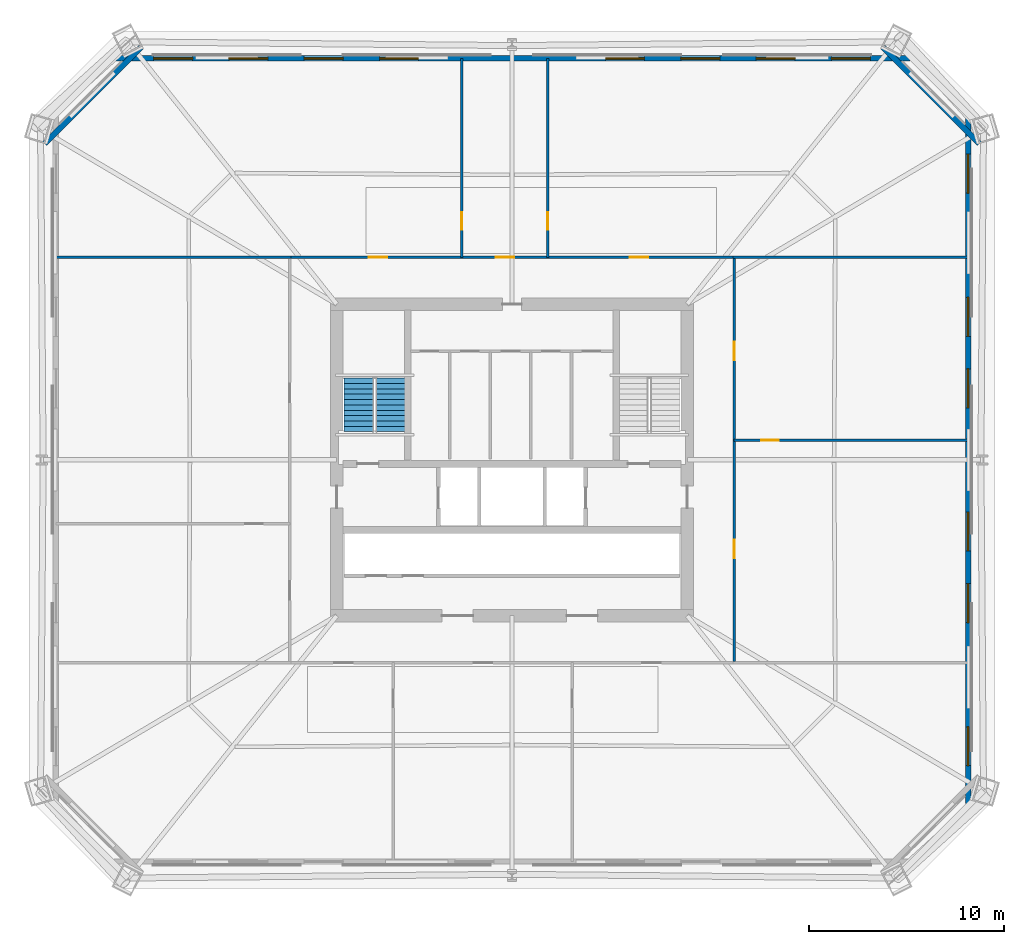
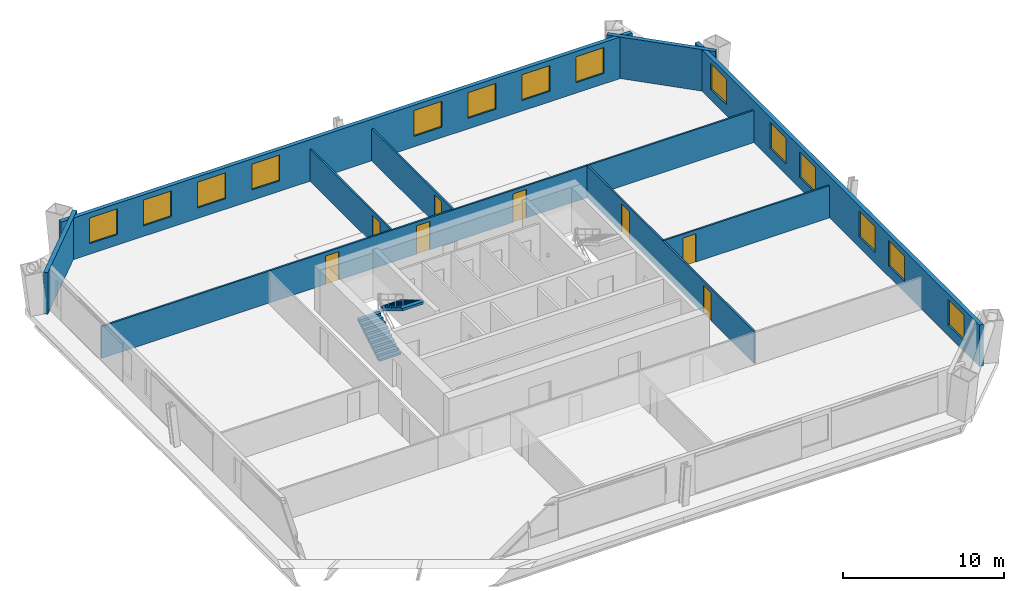
# One storey, part 4 of 7: 14 windows, 11 walls, 8 doors, 2 stair flights, 22 openings, 1 element without a shape of its own.
"""IFC4 building model written with IfcOpenShell, lengths in metres."""

from ifc_helpers import new_model, si_unit, direction, frame, frame_2d, origin, place, context, subcontext, project, spatial, polyline, rectangle, outline, extrude, material, layer, layer_set, type_object, element, fill, aggregate, save


model = new_model("IFC4")

# Units and contexts
model_context = context("Model", 3, precision=1e-05, world=origin(), true_north=direction((0.0, 1.0)))
body_context = subcontext(model_context, "Body", "Model", "MODEL_VIEW")
ifc_project = project(units=[si_unit("LENGTHUNIT", "METRE"), si_unit("AREAUNIT", "SQUARE_METRE"), si_unit("VOLUMEUNIT", "CUBIC_METRE"), si_unit("PLANEANGLEUNIT", "RADIAN"), si_unit("MASSUNIT", "GRAM", prefix="KILO")], contexts=[model_context])

# Site, building, storey
site_placement = place(None, origin())
site = spatial("IfcSite", under=ifc_project, at=site_placement, CompositionType="ELEMENT")
building_placement = place(site_placement, origin())
building = spatial("IfcBuilding", under=site, at=building_placement, Name="Caelvoria Tower", CompositionType="ELEMENT")
storey_placement = place(building_placement, frame((0.0, 0.0, 35.199951171875)))
storey = spatial("IfcBuildingStorey", under=building, at=storey_placement, Name="L08", CompositionType="ELEMENT", Elevation=35.199951171875)

# Wall, openings, windows
ifc_material_1 = material(Name="Precast Concrete C40/50 with Bronze Cladding", Category="concrete")
ifc_layer_1 = layer(ifc_material_1, 0.280029296875, Name="Precast Concrete C40/50 with Bronze Cladding")
ifc_layer_set_1 = layer_set([ifc_layer_1], Name="Exterior Precast Concrete C40/50 Bronze-Clad Facade Wall 280 - Precast Concrete C40/50 with Bronze Cladding")
wall_type_1 = type_object("IfcWallType", Name="Exterior Precast Concrete C40/50 Bronze-Clad Facade Wall 280", PredefinedType="STANDARD", material=ifc_layer_set_1)
wall_1_placement = place(storey_placement, frame((69.419921875, 14.360107421875, 0.0), z_axis=(0.0, 0.0, 1.0), x_axis=(0.0, 1.0, 0.0)))
wall_1 = element("IfcWall", 1, at=wall_1_placement, inside=storey, type_object=wall_type_1, Name="Exterior Facade Wall L08-E2", PredefinedType="STANDARD", context=body_context, shape_type="SweptSolid", body=[
    extrude(rectangle(XDim=35.27978515625, YDim=0.280029296875, at=frame_2d((17.639892578125, 0.0))), origin(), (0.0, 0.0, 1.0), 3.150146484375),
])
opening_1_placement = place(wall_1_placement, frame((1.937744140625, 0.0, 0.800048828125)))
opening_1 = element("IfcOpeningElement", 2, at=opening_1_placement, cuts=wall_1, Name="Opening WN-01", PredefinedType="OPENING", context=body_context, shape_type="SweptSolid", body=[
    extrude(rectangle(XDim=2.0, YDim=1.949951171875, at=frame_2d((1.0, 0.97509765625))), frame((0.0, 0.14990234375, 0.0), z_axis=(0.0, -1.0, 0.0), x_axis=(1.0, 0.0, 0.0)), (0.0, 0.0, 1.0), 0.300048828125),
])
opening_2_placement = place(wall_1_placement, frame((9.288818359375, 0.0, 0.800048828125)))
opening_2 = element("IfcOpeningElement", 3, at=opening_2_placement, cuts=wall_1, Name="Opening WN-01", PredefinedType="OPENING", context=body_context, shape_type="SweptSolid", body=[
    extrude(rectangle(XDim=2.0, YDim=1.949951171875, at=frame_2d((1.0, 0.97509765625))), frame((0.0, 0.14990234375, 0.0), z_axis=(0.0, -1.0, 0.0), x_axis=(1.0, 0.0, 0.0)), (0.0, 0.0, 1.0), 0.300048828125),
])
opening_3_placement = place(wall_1_placement, frame((12.96435546875, 0.0, 0.800048828125)))
opening_3 = element("IfcOpeningElement", 4, at=opening_3_placement, cuts=wall_1, Name="Opening WN-01", PredefinedType="OPENING", context=body_context, shape_type="SweptSolid", body=[
    extrude(rectangle(XDim=2.0, YDim=1.949951171875, at=frame_2d((1.0, 0.97509765625))), frame((0.0, 0.14990234375, 0.0), z_axis=(0.0, -1.0, 0.0), x_axis=(1.0, 0.0, 0.0)), (0.0, 0.0, 1.0), 0.300048828125),
])
opening_4_placement = place(wall_1_placement, frame((20.315673828125, 0.0, 0.800048828125)))
opening_4 = element("IfcOpeningElement", 5, at=opening_4_placement, cuts=wall_1, Name="Opening WN-01", PredefinedType="OPENING", context=body_context, shape_type="SweptSolid", body=[
    extrude(rectangle(XDim=2.0, YDim=1.949951171875, at=frame_2d((1.0, 0.97509765625))), frame((0.0, 0.14990234375, 0.0), z_axis=(0.0, -1.0, 0.0), x_axis=(1.0, 0.0, 0.0)), (0.0, 0.0, 1.0), 0.300048828125),
])
opening_5_placement = place(wall_1_placement, frame((23.9912109375, 0.0, 0.800048828125)))
opening_5 = element("IfcOpeningElement", 6, at=opening_5_placement, cuts=wall_1, Name="Opening WN-01", PredefinedType="OPENING", context=body_context, shape_type="SweptSolid", body=[
    extrude(rectangle(XDim=2.0, YDim=1.949951171875, at=frame_2d((1.0, 0.97509765625))), frame((0.0, 0.14990234375, 0.0), z_axis=(0.0, -1.0, 0.0), x_axis=(1.0, 0.0, 0.0)), (0.0, 0.0, 1.0), 0.300048828125),
])
opening_6_placement = place(wall_1_placement, frame((31.34228515625, 0.0, 0.800048828125)))
opening_6 = element("IfcOpeningElement", 7, at=opening_6_placement, cuts=wall_1, Name="Opening WN-01", PredefinedType="OPENING", context=body_context, shape_type="SweptSolid", body=[
    extrude(rectangle(XDim=2.0, YDim=1.949951171875, at=frame_2d((1.0, 0.97509765625))), frame((0.0, 0.14990234375, 0.0), z_axis=(0.0, -1.0, 0.0), x_axis=(1.0, 0.0, 0.0)), (0.0, 0.0, 1.0), 0.300048828125),
])
ifc_material_2 = material(Name="Low-E Tinted Glass in Bronze Aluminium Frame", Category="aluminium")
window_type = type_object("IfcWindowType", Name="Tower Office Vision Window 2000x1950", PartitioningType="SINGLE_PANEL", PredefinedType="WINDOW", material=ifc_material_2)
window_1_placement = place(opening_1_placement, origin())
window_1 = element("IfcWindow", 8, at=window_1_placement, inside=storey, type_object=window_type, Name="Facade Window L08-E2-00", OverallHeight=1.949951171875, OverallWidth=2.0, PartitioningType="SINGLE_PANEL", PredefinedType="WINDOW", context=body_context, shape_type="SweptSolid", body=[
    extrude(rectangle(XDim=2.0, YDim=1.949951171875, at=frame_2d((1.0, 0.97509765625))), frame((0.0, 0.030029296875, 0.0), z_axis=(0.0, -1.0, 0.0), x_axis=(1.0, 0.0, 0.0)), (0.0, 0.0, 1.0), 0.06005859375),
])
fill(opening_1, window_1)
window_2_placement = place(opening_2_placement, origin())
window_2 = element("IfcWindow", 9, at=window_2_placement, inside=storey, type_object=window_type, Name="Facade Window L08-E2-02", OverallHeight=1.949951171875, OverallWidth=2.0, PartitioningType="SINGLE_PANEL", PredefinedType="WINDOW", context=body_context, shape_type="SweptSolid", body=[
    extrude(rectangle(XDim=2.0, YDim=1.949951171875, at=frame_2d((1.0, 0.97509765625))), frame((0.0, 0.030029296875, 0.0), z_axis=(0.0, -1.0, 0.0), x_axis=(1.0, 0.0, 0.0)), (0.0, 0.0, 1.0), 0.06005859375),
])
fill(opening_2, window_2)
window_3_placement = place(opening_3_placement, origin())
window_3 = element("IfcWindow", 10, at=window_3_placement, inside=storey, type_object=window_type, Name="Facade Window L08-E2-03", OverallHeight=1.949951171875, OverallWidth=2.0, PartitioningType="SINGLE_PANEL", PredefinedType="WINDOW", context=body_context, shape_type="SweptSolid", body=[
    extrude(rectangle(XDim=2.0, YDim=1.949951171875, at=frame_2d((1.0, 0.97509765625))), frame((0.0, 0.030029296875, 0.0), z_axis=(0.0, -1.0, 0.0), x_axis=(1.0, 0.0, 0.0)), (0.0, 0.0, 1.0), 0.06005859375),
])
fill(opening_3, window_3)
window_4_placement = place(opening_4_placement, origin())
window_4 = element("IfcWindow", 11, at=window_4_placement, inside=storey, type_object=window_type, Name="Facade Window L08-E2-05", OverallHeight=1.949951171875, OverallWidth=2.0, PartitioningType="SINGLE_PANEL", PredefinedType="WINDOW", context=body_context, shape_type="SweptSolid", body=[
    extrude(rectangle(XDim=2.0, YDim=1.949951171875, at=frame_2d((1.0, 0.97509765625))), frame((0.0, 0.030029296875, 0.0), z_axis=(0.0, -1.0, 0.0), x_axis=(1.0, 0.0, 0.0)), (0.0, 0.0, 1.0), 0.06005859375),
])
fill(opening_4, window_4)
window_5_placement = place(opening_5_placement, origin())
window_5 = element("IfcWindow", 12, at=window_5_placement, inside=storey, type_object=window_type, Name="Facade Window L08-E2-06", OverallHeight=1.949951171875, OverallWidth=2.0, PartitioningType="SINGLE_PANEL", PredefinedType="WINDOW", context=body_context, shape_type="SweptSolid", body=[
    extrude(rectangle(XDim=2.0, YDim=1.949951171875, at=frame_2d((1.0, 0.97509765625))), frame((0.0, 0.030029296875, 0.0), z_axis=(0.0, -1.0, 0.0), x_axis=(1.0, 0.0, 0.0)), (0.0, 0.0, 1.0), 0.06005859375),
])
fill(opening_5, window_5)
window_6_placement = place(opening_6_placement, origin())
window_6 = element("IfcWindow", 13, at=window_6_placement, inside=storey, type_object=window_type, Name="Facade Window L08-E2-08", OverallHeight=1.949951171875, OverallWidth=2.0, PartitioningType="SINGLE_PANEL", PredefinedType="WINDOW", context=body_context, shape_type="SweptSolid", body=[
    extrude(rectangle(XDim=2.0, YDim=1.949951171875, at=frame_2d((1.0, 0.97509765625))), frame((0.0, 0.030029296875, 0.0), z_axis=(0.0, -1.0, 0.0), x_axis=(1.0, 0.0, 0.0)), (0.0, 0.0, 1.0), 0.06005859375),
])
fill(opening_6, window_6)

# Wall
wall_2_placement = place(storey_placement, frame((69.993896484375, 48.25439453125, 0.0), z_axis=(0.0, 0.0, 1.0), x_axis=(-0.707106781187, 0.707106781187, 0.0)))
element("IfcWall", 14, at=wall_2_placement, inside=storey, type_object=wall_type_1, Name="Exterior Facade Wall L08-E3", PredefinedType="STANDARD", context=body_context, shape_type="SweptSolid", body=[
    extrude(rectangle(XDim=6.9853515625, YDim=0.280029296875, at=frame_2d((3.49267578125, 0.0))), origin(), (0.0, 0.0, 1.0), 3.150146484375),
])

# Wall, openings, windows
wall_3_placement = place(storey_placement, frame((66.43994140625, 52.6201171875, 0.0), z_axis=(0.0, 0.0, 1.0), x_axis=(-1.0, 0.0, 0.0)))
wall_3 = element("IfcWall", 15, at=wall_3_placement, inside=storey, type_object=wall_type_1, Name="Exterior Facade Wall L08-E4", PredefinedType="STANDARD", context=body_context, shape_type="SweptSolid", body=[
    extrude(rectangle(XDim=40.8798828125, YDim=0.280029296875, at=frame_2d((20.43994140625, 0.0))), origin(), (0.0, 0.0, 1.0), 3.150146484375),
])
opening_7_placement = place(wall_3_placement, frame((2.033935546875, 0.0, 0.800048828125)))
opening_7 = element("IfcOpeningElement", 16, at=opening_7_placement, cuts=wall_3, Name="Opening WN-01", PredefinedType="OPENING", context=body_context, shape_type="SweptSolid", body=[
    extrude(rectangle(XDim=2.0, YDim=1.949951171875, at=frame_2d((1.0, 0.97509765625))), frame((0.0, 0.14990234375, 0.0), z_axis=(0.0, -1.0, 0.0), x_axis=(1.0, 0.0, 0.0)), (0.0, 0.0, 1.0), 0.300048828125),
])
opening_8_placement = place(wall_3_placement, frame((5.902099609375, 0.0, 0.800048828125)))
opening_8 = element("IfcOpeningElement", 17, at=opening_8_placement, cuts=wall_3, Name="Opening WN-01", PredefinedType="OPENING", context=body_context, shape_type="SweptSolid", body=[
    extrude(rectangle(XDim=2.0, YDim=1.949951171875, at=frame_2d((1.0, 0.97509765625))), frame((0.0, 0.14990234375, 0.0), z_axis=(0.0, -1.0, 0.0), x_axis=(1.0, 0.0, 0.0)), (0.0, 0.0, 1.0), 0.300048828125),
])
opening_9_placement = place(wall_3_placement, frame((9.77001953125, 0.0, 0.800048828125)))
opening_9 = element("IfcOpeningElement", 18, at=opening_9_placement, cuts=wall_3, Name="Opening WN-01", PredefinedType="OPENING", context=body_context, shape_type="SweptSolid", body=[
    extrude(rectangle(XDim=2.0, YDim=1.949951171875, at=frame_2d((1.0, 0.97509765625))), frame((0.0, 0.14990234375, 0.0), z_axis=(0.0, -1.0, 0.0), x_axis=(1.0, 0.0, 0.0)), (0.0, 0.0, 1.0), 0.300048828125),
])
opening_10_placement = place(wall_3_placement, frame((13.637939453125, 0.0, 0.800048828125)))
opening_10 = element("IfcOpeningElement", 19, at=opening_10_placement, cuts=wall_3, Name="Opening WN-01", PredefinedType="OPENING", context=body_context, shape_type="SweptSolid", body=[
    extrude(rectangle(XDim=2.0, YDim=1.949951171875, at=frame_2d((1.0, 0.97509765625))), frame((0.0, 0.14990234375, 0.0), z_axis=(0.0, -1.0, 0.0), x_axis=(1.0, 0.0, 0.0)), (0.0, 0.0, 1.0), 0.300048828125),
])
opening_11_placement = place(wall_3_placement, frame((25.241943359375, 0.0, 0.800048828125)))
opening_11 = element("IfcOpeningElement", 20, at=opening_11_placement, cuts=wall_3, Name="Opening WN-01", PredefinedType="OPENING", context=body_context, shape_type="SweptSolid", body=[
    extrude(rectangle(XDim=2.0, YDim=1.949951171875, at=frame_2d((1.0, 0.97509765625))), frame((0.0, 0.14990234375, 0.0), z_axis=(0.0, -1.0, 0.0), x_axis=(1.0, 0.0, 0.0)), (0.0, 0.0, 1.0), 0.300048828125),
])
opening_12_placement = place(wall_3_placement, frame((29.110107421875, 0.0, 0.800048828125)))
opening_12 = element("IfcOpeningElement", 21, at=opening_12_placement, cuts=wall_3, Name="Opening WN-01", PredefinedType="OPENING", context=body_context, shape_type="SweptSolid", body=[
    extrude(rectangle(XDim=2.0, YDim=1.949951171875, at=frame_2d((1.0, 0.97509765625))), frame((0.0, 0.14990234375, 0.0), z_axis=(0.0, -1.0, 0.0), x_axis=(1.0, 0.0, 0.0)), (0.0, 0.0, 1.0), 0.300048828125),
])
opening_13_placement = place(wall_3_placement, frame((32.97802734375, 0.0, 0.800048828125)))
opening_13 = element("IfcOpeningElement", 22, at=opening_13_placement, cuts=wall_3, Name="Opening WN-01", PredefinedType="OPENING", context=body_context, shape_type="SweptSolid", body=[
    extrude(rectangle(XDim=2.0, YDim=1.949951171875, at=frame_2d((1.0, 0.97509765625))), frame((0.0, 0.14990234375, 0.0), z_axis=(0.0, -1.0, 0.0), x_axis=(1.0, 0.0, 0.0)), (0.0, 0.0, 1.0), 0.300048828125),
])
opening_14_placement = place(wall_3_placement, frame((36.845947265625, 0.0, 0.800048828125)))
opening_14 = element("IfcOpeningElement", 23, at=opening_14_placement, cuts=wall_3, Name="Opening WN-01", PredefinedType="OPENING", context=body_context, shape_type="SweptSolid", body=[
    extrude(rectangle(XDim=2.0, YDim=1.949951171875, at=frame_2d((1.0, 0.97509765625))), frame((0.0, 0.14990234375, 0.0), z_axis=(0.0, -1.0, 0.0), x_axis=(1.0, 0.0, 0.0)), (0.0, 0.0, 1.0), 0.300048828125),
])
window_7_placement = place(opening_7_placement, origin())
window_7 = element("IfcWindow", 24, at=window_7_placement, inside=storey, type_object=window_type, Name="Facade Window L08-E4-00", OverallHeight=1.949951171875, OverallWidth=2.0, PartitioningType="SINGLE_PANEL", PredefinedType="WINDOW", context=body_context, shape_type="SweptSolid", body=[
    extrude(rectangle(XDim=2.0, YDim=1.949951171875, at=frame_2d((1.0, 0.97509765625))), frame((0.0, 0.030029296875, 0.0), z_axis=(0.0, -1.0, 0.0), x_axis=(1.0, 0.0, 0.0)), (0.0, 0.0, 1.0), 0.06005859375),
])
fill(opening_7, window_7)
window_8_placement = place(opening_8_placement, origin())
window_8 = element("IfcWindow", 25, at=window_8_placement, inside=storey, type_object=window_type, Name="Facade Window L08-E4-01", OverallHeight=1.949951171875, OverallWidth=2.0, PartitioningType="SINGLE_PANEL", PredefinedType="WINDOW", context=body_context, shape_type="SweptSolid", body=[
    extrude(rectangle(XDim=2.0, YDim=1.949951171875, at=frame_2d((1.0, 0.97509765625))), frame((0.0, 0.030029296875, 0.0), z_axis=(0.0, -1.0, 0.0), x_axis=(1.0, 0.0, 0.0)), (0.0, 0.0, 1.0), 0.06005859375),
])
fill(opening_8, window_8)
window_9_placement = place(opening_9_placement, origin())
window_9 = element("IfcWindow", 26, at=window_9_placement, inside=storey, type_object=window_type, Name="Facade Window L08-E4-02", OverallHeight=1.949951171875, OverallWidth=2.0, PartitioningType="SINGLE_PANEL", PredefinedType="WINDOW", context=body_context, shape_type="SweptSolid", body=[
    extrude(rectangle(XDim=2.0, YDim=1.949951171875, at=frame_2d((1.0, 0.97509765625))), frame((0.0, 0.030029296875, 0.0), z_axis=(0.0, -1.0, 0.0), x_axis=(1.0, 0.0, 0.0)), (0.0, 0.0, 1.0), 0.06005859375),
])
fill(opening_9, window_9)
window_10_placement = place(opening_10_placement, origin())
window_10 = element("IfcWindow", 27, at=window_10_placement, inside=storey, type_object=window_type, Name="Facade Window L08-E4-03", OverallHeight=1.949951171875, OverallWidth=2.0, PartitioningType="SINGLE_PANEL", PredefinedType="WINDOW", context=body_context, shape_type="SweptSolid", body=[
    extrude(rectangle(XDim=2.0, YDim=1.949951171875, at=frame_2d((1.0, 0.97509765625))), frame((0.0, 0.030029296875, 0.0), z_axis=(0.0, -1.0, 0.0), x_axis=(1.0, 0.0, 0.0)), (0.0, 0.0, 1.0), 0.06005859375),
])
fill(opening_10, window_10)
window_11_placement = place(opening_11_placement, origin())
window_11 = element("IfcWindow", 28, at=window_11_placement, inside=storey, type_object=window_type, Name="Facade Window L08-E4-06", OverallHeight=1.949951171875, OverallWidth=2.0, PartitioningType="SINGLE_PANEL", PredefinedType="WINDOW", context=body_context, shape_type="SweptSolid", body=[
    extrude(rectangle(XDim=2.0, YDim=1.949951171875, at=frame_2d((1.0, 0.97509765625))), frame((0.0, 0.030029296875, 0.0), z_axis=(0.0, -1.0, 0.0), x_axis=(1.0, 0.0, 0.0)), (0.0, 0.0, 1.0), 0.06005859375),
])
fill(opening_11, window_11)
window_12_placement = place(opening_12_placement, origin())
window_12 = element("IfcWindow", 29, at=window_12_placement, inside=storey, type_object=window_type, Name="Facade Window L08-E4-07", OverallHeight=1.949951171875, OverallWidth=2.0, PartitioningType="SINGLE_PANEL", PredefinedType="WINDOW", context=body_context, shape_type="SweptSolid", body=[
    extrude(rectangle(XDim=2.0, YDim=1.949951171875, at=frame_2d((1.0, 0.97509765625))), frame((0.0, 0.030029296875, 0.0), z_axis=(0.0, -1.0, 0.0), x_axis=(1.0, 0.0, 0.0)), (0.0, 0.0, 1.0), 0.06005859375),
])
fill(opening_12, window_12)
window_13_placement = place(opening_13_placement, origin())
window_13 = element("IfcWindow", 30, at=window_13_placement, inside=storey, type_object=window_type, Name="Facade Window L08-E4-08", OverallHeight=1.949951171875, OverallWidth=2.0, PartitioningType="SINGLE_PANEL", PredefinedType="WINDOW", context=body_context, shape_type="SweptSolid", body=[
    extrude(rectangle(XDim=2.0, YDim=1.949951171875, at=frame_2d((1.0, 0.97509765625))), frame((0.0, 0.030029296875, 0.0), z_axis=(0.0, -1.0, 0.0), x_axis=(1.0, 0.0, 0.0)), (0.0, 0.0, 1.0), 0.06005859375),
])
fill(opening_13, window_13)
window_14_placement = place(opening_14_placement, origin())
window_14 = element("IfcWindow", 31, at=window_14_placement, inside=storey, type_object=window_type, Name="Facade Window L08-E4-09", OverallHeight=1.949951171875, OverallWidth=2.0, PartitioningType="SINGLE_PANEL", PredefinedType="WINDOW", context=body_context, shape_type="SweptSolid", body=[
    extrude(rectangle(XDim=2.0, YDim=1.949951171875, at=frame_2d((1.0, 0.97509765625))), frame((0.0, 0.030029296875, 0.0), z_axis=(0.0, -1.0, 0.0), x_axis=(1.0, 0.0, 0.0)), (0.0, 0.0, 1.0), 0.06005859375),
])
fill(opening_14, window_14)

# Wall
wall_4_placement = place(storey_placement, frame((26.945556640625, 53.19384765625, 0.0), z_axis=(0.0, 0.0, 1.0), x_axis=(-0.707106781187, -0.707106781187, 0.0)))
element("IfcWall", 32, at=wall_4_placement, inside=storey, type_object=wall_type_1, Name="Exterior Facade Wall L08-E5", PredefinedType="STANDARD", context=body_context, shape_type="SweptSolid", body=[
    extrude(rectangle(XDim=6.9853515625, YDim=0.280029296875, at=frame_2d((3.49267578125, 0.0))), origin(), (0.0, 0.0, 1.0), 3.150146484375),
])

# Wall, opening, door
ifc_material_3 = material(Name="Acoustic Gypsum Board on Light-Gauge Stud", Category="gypsum")
ifc_layer_2 = layer(ifc_material_3, 0.1201171875, Name="Acoustic Gypsum Board on Light-Gauge Stud")
ifc_layer_set_2 = layer_set([ifc_layer_2], Name="Tenant Suite Acoustic Partition Wall 120 - Acoustic Gypsum Board on Light-Gauge Stud")
wall_type_2 = type_object("IfcWallType", Name="Tenant Suite Acoustic Partition Wall 120", PredefinedType="PARTITIONING", material=ifc_layer_set_2)
wall_5_placement = place(storey_placement, frame((43.422119140625, 42.409912109375, 0.0), z_axis=(0.0, 0.0, 1.0), x_axis=(0.0, 1.0, 0.0)))
wall_5 = element("IfcWall", 33, at=wall_5_placement, inside=storey, type_object=wall_type_2, Name="Interior Partition IW-L08-ND-00-0", PredefinedType="PARTITIONING", context=body_context, shape_type="SweptSolid", body=[
    extrude(rectangle(XDim=10.210205078125, YDim=0.1201171875, at=frame_2d((5.10498046875, 0.0))), origin(), (0.0, 0.0, 1.0), 2.429931640625),
])
opening_15_placement = place(wall_5_placement, frame((1.39990234375, 0.0, 0.0)))
opening_15 = element("IfcOpeningElement", 34, at=opening_15_placement, cuts=wall_5, Name="Opening ID-06", PredefinedType="OPENING", context=body_context, shape_type="SweptSolid", body=[
    extrude(rectangle(XDim=0.89990234375, YDim=2.14990234375, at=frame_2d((0.449951171875, 1.074951171875))), frame((0.0, 0.070068359375, 0.0), z_axis=(0.0, -1.0, 0.0), x_axis=(1.0, 0.0, 0.0)), (0.0, 0.0, 1.0), 0.14013671875),
])
ifc_material_4 = material(Name="Engineered Andean Oak Veneer Door", Category="wood")
door_type_1 = type_object("IfcDoorType", Name="Interior Timber Door 900x2150", OperationType="NOTDEFINED", PredefinedType="DOOR", material=ifc_material_4)
door_1_placement = place(opening_15_placement, origin())
door_1 = element("IfcDoor", 35, at=door_1_placement, inside=storey, type_object=door_type_1, Name="Interior Door DR-L08-NM-00-0", OperationType="SINGLE_SWING_RIGHT", OverallHeight=2.14990234375, OverallWidth=0.89990234375, PredefinedType="DOOR", context=body_context, shape_type="SweptSolid", body=[
    extrude(rectangle(XDim=0.89990234375, YDim=2.14990234375, at=frame_2d((0.449951171875, 1.074951171875))), frame((0.0, 0.02490234375, 0.0), z_axis=(0.0, -1.0, 0.0), x_axis=(1.0, 0.0, 0.0)), (0.0, 0.0, 1.0), 0.050048828125),
])
fill(opening_15, door_1)

wall_6_placement = place(storey_placement, frame((47.84375, 42.409912109375, 0.0), z_axis=(0.0, 0.0, 1.0), x_axis=(0.0, 1.0, 0.0)))
wall_6 = element("IfcWall", 36, at=wall_6_placement, inside=storey, type_object=wall_type_2, Name="Interior Partition IW-L08-ND-01-0", PredefinedType="PARTITIONING", context=body_context, shape_type="SweptSolid", body=[
    extrude(rectangle(XDim=10.210205078125, YDim=0.1201171875, at=frame_2d((5.10498046875, 0.0))), origin(), (0.0, 0.0, 1.0), 2.429931640625),
])
opening_16_placement = place(wall_6_placement, frame((1.39990234375, 0.0, 0.0)))
opening_16 = element("IfcOpeningElement", 37, at=opening_16_placement, cuts=wall_6, Name="Opening ID-06", PredefinedType="OPENING", context=body_context, shape_type="SweptSolid", body=[
    extrude(rectangle(XDim=0.89990234375, YDim=2.14990234375, at=frame_2d((0.449951171875, 1.074951171875))), frame((0.0, 0.070068359375, 0.0), z_axis=(0.0, -1.0, 0.0), x_axis=(1.0, 0.0, 0.0)), (0.0, 0.0, 1.0), 0.14013671875),
])
door_2_placement = place(opening_16_placement, origin())
door_2 = element("IfcDoor", 38, at=door_2_placement, inside=storey, type_object=door_type_1, Name="Interior Door DR-L08-NM-01-0", OperationType="SINGLE_SWING_LEFT", OverallHeight=2.14990234375, OverallWidth=0.89990234375, PredefinedType="DOOR", context=body_context, shape_type="SweptSolid", body=[
    extrude(rectangle(XDim=0.89990234375, YDim=2.14990234375, at=frame_2d((0.449951171875, 1.074951171875))), frame((0.0, 0.02490234375, 0.0), z_axis=(0.0, -1.0, 0.0), x_axis=(1.0, 0.0, 0.0)), (0.0, 0.0, 1.0), 0.050048828125),
])
fill(opening_16, door_2)

# Wall, openings, doors
wall_7_placement = place(storey_placement, frame((34.64990234375, 42.409912109375, 0.0), z_axis=(0.0, 0.0, 1.0), x_axis=(1.0, 0.0, 0.0)))
wall_7 = element("IfcWall", 39, at=wall_7_placement, inside=storey, type_object=wall_type_2, Name="Interior Partition IW-L08-NCW-0", PredefinedType="PARTITIONING", context=body_context, shape_type="SweptSolid", body=[
    extrude(rectangle(XDim=22.7001953125, YDim=0.1201171875, at=frame_2d((11.35009765625, 0.0))), origin(), (0.0, 0.0, 1.0), 2.429931640625),
])
opening_17_placement = place(wall_7_placement, frame((3.98095703125, 0.0, 0.0)))
opening_17 = element("IfcOpeningElement", 40, at=opening_17_placement, cuts=wall_7, Name="Opening ID-05", PredefinedType="OPENING", context=body_context, shape_type="SweptSolid", body=[
    extrude(rectangle(XDim=0.949951171875, YDim=2.14990234375, at=frame_2d((0.47509765625, 1.074951171875))), frame((0.0, 0.070068359375, 0.0), z_axis=(0.0, -1.0, 0.0), x_axis=(1.0, 0.0, 0.0)), (0.0, 0.0, 1.0), 0.14013671875),
])
opening_18_placement = place(wall_7_placement, frame((10.5078125, 0.0, 0.0)))
opening_18 = element("IfcOpeningElement", 41, at=opening_18_placement, cuts=wall_7, Name="Opening ID-05", PredefinedType="OPENING", context=body_context, shape_type="SweptSolid", body=[
    extrude(rectangle(XDim=0.949951171875, YDim=2.14990234375, at=frame_2d((0.47509765625, 1.074951171875))), frame((0.0, 0.070068359375, 0.0), z_axis=(0.0, -1.0, 0.0), x_axis=(1.0, 0.0, 0.0)), (0.0, 0.0, 1.0), 0.14013671875),
])
opening_19_placement = place(wall_7_placement, frame((17.40185546875, 0.0, 0.0)))
opening_19 = element("IfcOpeningElement", 42, at=opening_19_placement, cuts=wall_7, Name="Opening ID-05", PredefinedType="OPENING", context=body_context, shape_type="SweptSolid", body=[
    extrude(rectangle(XDim=0.949951171875, YDim=2.14990234375, at=frame_2d((0.47509765625, 1.074951171875))), frame((0.0, 0.070068359375, 0.0), z_axis=(0.0, -1.0, 0.0), x_axis=(1.0, 0.0, 0.0)), (0.0, 0.0, 1.0), 0.14013671875),
])
door_type_2 = type_object("IfcDoorType", Name="Interior Timber Door 950x2150", OperationType="NOTDEFINED", PredefinedType="DOOR", material=ifc_material_4)
door_3_placement = place(opening_17_placement, origin())
door_3 = element("IfcDoor", 43, at=door_3_placement, inside=storey, type_object=door_type_2, Name="Interior Door DR-L08-NC-00-0", OperationType="SINGLE_SWING_LEFT", OverallHeight=2.14990234375, OverallWidth=0.949951171875, PredefinedType="DOOR", context=body_context, shape_type="SweptSolid", body=[
    extrude(rectangle(XDim=0.949951171875, YDim=2.14990234375, at=frame_2d((0.47509765625, 1.074951171875))), frame((0.0, 0.02490234375, 0.0), z_axis=(0.0, -1.0, 0.0), x_axis=(1.0, 0.0, 0.0)), (0.0, 0.0, 1.0), 0.050048828125),
])
fill(opening_17, door_3)
door_4_placement = place(opening_18_placement, origin())
door_4 = element("IfcDoor", 44, at=door_4_placement, inside=storey, type_object=door_type_2, Name="Interior Door DR-L08-NC-01-0", OperationType="SINGLE_SWING_RIGHT", OverallHeight=2.14990234375, OverallWidth=0.949951171875, PredefinedType="DOOR", context=body_context, shape_type="SweptSolid", body=[
    extrude(rectangle(XDim=0.949951171875, YDim=2.14990234375, at=frame_2d((0.47509765625, 1.074951171875))), frame((0.0, 0.02490234375, 0.0), z_axis=(0.0, -1.0, 0.0), x_axis=(1.0, 0.0, 0.0)), (0.0, 0.0, 1.0), 0.050048828125),
])
fill(opening_18, door_4)
door_5_placement = place(opening_19_placement, origin())
door_5 = element("IfcDoor", 45, at=door_5_placement, inside=storey, type_object=door_type_2, Name="Interior Door DR-L08-NC-02-0", OperationType="SINGLE_SWING_LEFT", OverallHeight=2.14990234375, OverallWidth=0.949951171875, PredefinedType="DOOR", context=body_context, shape_type="SweptSolid", body=[
    extrude(rectangle(XDim=0.949951171875, YDim=2.14990234375, at=frame_2d((0.47509765625, 1.074951171875))), frame((0.0, 0.02490234375, 0.0), z_axis=(0.0, -1.0, 0.0), x_axis=(1.0, 0.0, 0.0)), (0.0, 0.0, 1.0), 0.050048828125),
])
fill(opening_19, door_5)

# Wall, opening, door
wall_8_placement = place(storey_placement, frame((57.409912109375, 33.01904296875, 0.0), z_axis=(0.0, 0.0, 1.0), x_axis=(1.0, 0.0, 0.0)))
wall_8 = element("IfcWall", 46, at=wall_8_placement, inside=storey, type_object=wall_type_2, Name="Interior Partition IW-L08-ED-00-0", PredefinedType="PARTITIONING", context=body_context, shape_type="SweptSolid", body=[
    extrude(rectangle(XDim=12.010009765625, YDim=0.1201171875, at=frame_2d((6.0048828125, 0.0))), origin(), (0.0, 0.0, 1.0), 2.429931640625),
])
opening_20_placement = place(wall_8_placement, frame((1.39990234375, 0.0, 0.0)))
opening_20 = element("IfcOpeningElement", 47, at=opening_20_placement, cuts=wall_8, Name="Opening ID-06", PredefinedType="OPENING", context=body_context, shape_type="SweptSolid", body=[
    extrude(rectangle(XDim=0.89990234375, YDim=2.14990234375, at=frame_2d((0.449951171875, 1.074951171875))), frame((0.0, 0.070068359375, 0.0), z_axis=(0.0, -1.0, 0.0), x_axis=(1.0, 0.0, 0.0)), (0.0, 0.0, 1.0), 0.14013671875),
])
door_6_placement = place(opening_20_placement, origin())
door_6 = element("IfcDoor", 48, at=door_6_placement, inside=storey, type_object=door_type_1, Name="Interior Door DR-L08-EM-00-0", OperationType="SINGLE_SWING_RIGHT", OverallHeight=2.14990234375, OverallWidth=0.89990234375, PredefinedType="DOOR", context=body_context, shape_type="SweptSolid", body=[
    extrude(rectangle(XDim=0.89990234375, YDim=2.14990234375, at=frame_2d((0.449951171875, 1.074951171875))), frame((0.0, 0.02490234375, 0.0), z_axis=(0.0, -1.0, 0.0), x_axis=(1.0, 0.0, 0.0)), (0.0, 0.0, 1.0), 0.050048828125),
])
fill(opening_20, door_6)

# Wall, openings, doors
wall_9_placement = place(storey_placement, frame((57.409912109375, 21.64990234375, 0.0), z_axis=(0.0, 0.0, 1.0), x_axis=(0.0, 1.0, 0.0)))
wall_9 = element("IfcWall", 49, at=wall_9_placement, inside=storey, type_object=wall_type_2, Name="Interior Partition IW-L08-ECW-0", PredefinedType="PARTITIONING", context=body_context, shape_type="SweptSolid", body=[
    extrude(rectangle(XDim=20.7001953125, YDim=0.1201171875, at=frame_2d((10.35009765625, 0.0))), origin(), (0.0, 0.0, 1.0), 2.429931640625),
])
opening_21_placement = place(wall_9_placement, frame((5.3095703125, 0.0, 0.0)))
opening_21 = element("IfcOpeningElement", 50, at=opening_21_placement, cuts=wall_9, Name="Opening ID-05", PredefinedType="OPENING", context=body_context, shape_type="SweptSolid", body=[
    extrude(rectangle(XDim=0.949951171875, YDim=2.14990234375, at=frame_2d((0.47509765625, 1.074951171875))), frame((0.0, 0.070068359375, 0.0), z_axis=(0.0, -1.0, 0.0), x_axis=(1.0, 0.0, 0.0)), (0.0, 0.0, 1.0), 0.14013671875),
])
opening_22_placement = place(wall_9_placement, frame((15.45947265625, 0.0, 0.0)))
opening_22 = element("IfcOpeningElement", 51, at=opening_22_placement, cuts=wall_9, Name="Opening ID-05", PredefinedType="OPENING", context=body_context, shape_type="SweptSolid", body=[
    extrude(rectangle(XDim=0.949951171875, YDim=2.14990234375, at=frame_2d((0.47509765625, 1.074951171875))), frame((0.0, 0.070068359375, 0.0), z_axis=(0.0, -1.0, 0.0), x_axis=(1.0, 0.0, 0.0)), (0.0, 0.0, 1.0), 0.14013671875),
])
door_7_placement = place(opening_21_placement, origin())
door_7 = element("IfcDoor", 52, at=door_7_placement, inside=storey, type_object=door_type_2, Name="Interior Door DR-L08-EC-00-0", OperationType="SINGLE_SWING_LEFT", OverallHeight=2.14990234375, OverallWidth=0.949951171875, PredefinedType="DOOR", context=body_context, shape_type="SweptSolid", body=[
    extrude(rectangle(XDim=0.949951171875, YDim=2.14990234375, at=frame_2d((0.47509765625, 1.074951171875))), frame((0.0, 0.02490234375, 0.0), z_axis=(0.0, -1.0, 0.0), x_axis=(1.0, 0.0, 0.0)), (0.0, 0.0, 1.0), 0.050048828125),
])
fill(opening_21, door_7)
door_8_placement = place(opening_22_placement, origin())
door_8 = element("IfcDoor", 53, at=door_8_placement, inside=storey, type_object=door_type_2, Name="Interior Door DR-L08-EC-01-0", OperationType="SINGLE_SWING_RIGHT", OverallHeight=2.14990234375, OverallWidth=0.949951171875, PredefinedType="DOOR", context=body_context, shape_type="SweptSolid", body=[
    extrude(rectangle(XDim=0.949951171875, YDim=2.14990234375, at=frame_2d((0.47509765625, 1.074951171875))), frame((0.0, 0.02490234375, 0.0), z_axis=(0.0, -1.0, 0.0), x_axis=(1.0, 0.0, 0.0)), (0.0, 0.0, 1.0), 0.050048828125),
])
fill(opening_22, door_8)

# Walls
for number, where, z_axis, x_axis, name in (
    (54, (34.64990234375, 42.409912109375, 0.0), (0.0, 0.0, 1.0), (-1.0, 0.0, 0.0), "Interior Partition IW-L08-BNW-0"),
    (55, (57.35009765625, 42.409912109375, 0.0), (0.0, 0.0, 1.0), (1.0, 0.0, 0.0), "Interior Partition IW-L08-BNE-0"),
):
    element("IfcWall", number, at=place(storey_placement, frame(where, z_axis=z_axis, x_axis=x_axis)), inside=storey, type_object=wall_type_2, Name=name, PredefinedType="PARTITIONING", context=body_context, shape_type="SweptSolid", body=[
        extrude(rectangle(XDim=12.06982421875, YDim=0.1201171875, at=frame_2d((6.034912109375, 0.0))), origin(), (0.0, 0.0, 1.0), 2.429931640625),
    ])

# Stair, stair flights
ifc_material_5 = material(Name="Concrete C40/50", Category="concrete")
stair_type = type_object("IfcStairType", Name="Core Smokeproof Dogleg Stair Concrete C40/50", PredefinedType="HALF_TURN_STAIR", material=ifc_material_5)
stair_placement = place(storey_placement, origin())
stair = element("IfcStair", 56, at=stair_placement, inside=storey, type_object=stair_type, Name="ST-01 Smokeproof Exit Stair L08", PredefinedType="HALF_TURN_STAIR")
ifc_material_6 = material(Name="Precast Concrete C40/50", Category="concrete")
stair_flight_type = type_object("IfcStairFlightType", Name="Precast Concrete C40/50 Stair Flight 1480", PredefinedType="STRAIGHT", material=ifc_material_6)
stair_flight_1_placement = place(storey_placement, frame((38.1298828125, 33.449951171875, 0.0), z_axis=(0.0, 0.0, 1.0), x_axis=(0.0, 1.0, 0.0)))
stair_flight_1 = element("IfcStairFlight", 57, at=stair_flight_1_placement, type_object=stair_flight_type, Name="ST-01 flight 1", NumberOfRisers=11, NumberOfTreads=10, PredefinedType="STRAIGHT", RiserHeight=0.1636, TreadLength=0.275, context=body_context, shape_type="SweptSolid", body=[
    extrude(outline(polyline([(0.0, 0.0), (0.0, 0.16357421875), (0.27490234375, 0.16357421875), (0.27490234375, 0.3271484375), (0.550048828125, 0.3271484375), (0.550048828125, 0.49072265625), (0.824951171875, 0.49072265625), (0.824951171875, 0.654296875), (1.10009765625, 0.654296875), (1.10009765625, 0.818115234375), (1.375, 0.818115234375), (1.375, 0.981689453125), (1.64990234375, 0.981689453125), (1.64990234375, 1.145263671875), (1.925048828125, 1.145263671875), (1.925048828125, 1.308837890625), (2.199951171875, 1.308837890625), (2.199951171875, 1.472412109375), (2.47509765625, 1.472412109375), (2.47509765625, 1.635986328125), (2.75, 1.635986328125), (2.75, 1.799560546875), (2.75, 1.449951171875), (0.312744140625, 0.0), (0.0, 0.0)])), frame((0.0, 0.77001953125, 0.0), z_axis=(0.0, -1.0, 0.0), x_axis=(1.0, 0.0, 0.0)), (0.0, 0.0, 1.0), 1.5400390625),
])
stair_flight_2_placement = place(storey_placement, frame((39.77001953125, 36.199951171875, 1.800048828125), z_axis=(0.0, 0.0, 1.0), x_axis=(0.0, -1.0, 0.0)))
stair_flight_2 = element("IfcStairFlight", 58, at=stair_flight_2_placement, type_object=stair_flight_type, Name="ST-01 flight 2", NumberOfRisers=11, NumberOfTreads=10, PredefinedType="STRAIGHT", RiserHeight=0.1636, TreadLength=0.275, context=body_context, shape_type="SweptSolid", body=[
    extrude(outline(polyline([(0.0, 0.0), (0.0, 0.16357421875), (0.27490234375, 0.16357421875), (0.27490234375, 0.3271484375), (0.550048828125, 0.3271484375), (0.550048828125, 0.49072265625), (0.824951171875, 0.49072265625), (0.824951171875, 0.654296875), (1.10009765625, 0.654296875), (1.10009765625, 0.818115234375), (1.375, 0.818115234375), (1.375, 0.981689453125), (1.64990234375, 0.981689453125), (1.64990234375, 1.145263671875), (1.925048828125, 1.145263671875), (1.925048828125, 1.308837890625), (2.199951171875, 1.308837890625), (2.199951171875, 1.472412109375), (2.47509765625, 1.472412109375), (2.47509765625, 1.635986328125), (2.75, 1.635986328125), (2.75, 1.799560546875), (2.75, 1.449951171875), (0.312744140625, 0.0), (0.0, 0.0)])), frame((0.0, 0.77001953125, 0.0), z_axis=(0.0, -1.0, 0.0), x_axis=(1.0, 0.0, 0.0)), (0.0, 0.0, 1.0), 1.5400390625),
])
aggregate(stair, [stair_flight_1, stair_flight_2])

save(model, "model.ifc")
